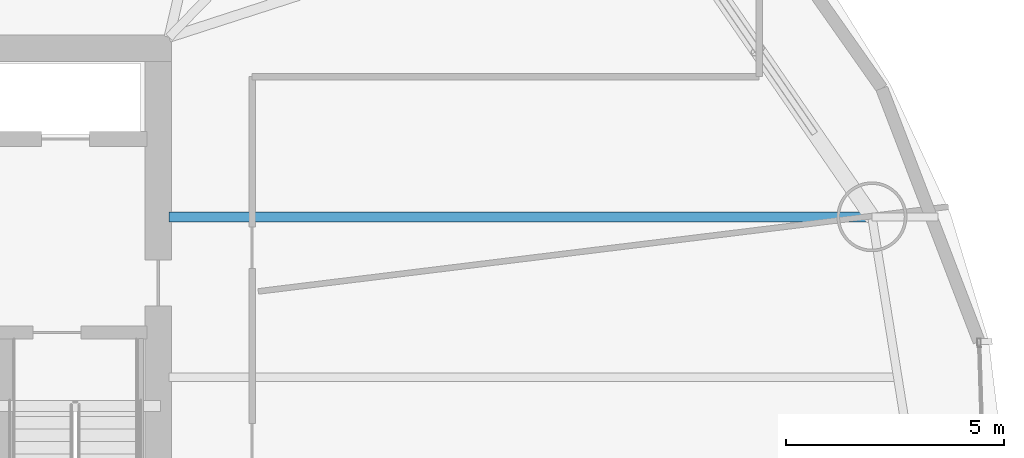
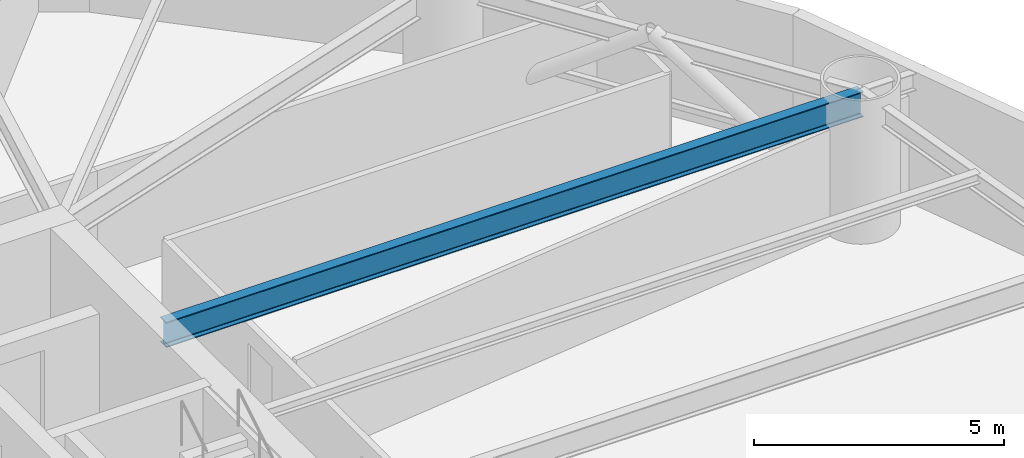
# One storey, part 13 of 27: 1 beam.
"""IFC4 building model written with IfcOpenShell, lengths in metres."""

from ifc_helpers import new_model, si_unit, direction, frame, origin, origin_2d, place, context, subcontext, project, spatial, i_section, extrude, material, material_profile, profile_set, type_object, element, save


model = new_model("IFC4")

# Units and contexts
model_context = context("Model", 3, precision=1e-05, world=origin(), true_north=direction((0.0, 1.0)))
body_context = subcontext(model_context, "Body", "Model", "MODEL_VIEW")
ifc_project = project(units=[si_unit("LENGTHUNIT", "METRE"), si_unit("AREAUNIT", "SQUARE_METRE"), si_unit("VOLUMEUNIT", "CUBIC_METRE"), si_unit("PLANEANGLEUNIT", "RADIAN"), si_unit("MASSUNIT", "GRAM", prefix="KILO")], contexts=[model_context])

# Site, building, storey
site_placement = place(None, origin())
site = spatial("IfcSite", under=ifc_project, at=site_placement, CompositionType="ELEMENT")
building_placement = place(site_placement, origin())
building = spatial("IfcBuilding", under=site, at=building_placement, Name="Bramvorn Convention Spire", CompositionType="ELEMENT")
storey_placement = place(building_placement, frame((0.0, 0.0, 72.89990234375)))
storey = spatial("IfcBuildingStorey", under=building, at=storey_placement, Name="L16", CompositionType="ELEMENT", Elevation=72.89990234375)

# Beam
ifc_material = material(Name="Steel CSA G40.21 Grade 350 (350W)", Category="steel")
ifc_material_profile = material_profile(ifc_material, i_section(OverallWidth=0.22998046875, OverallDepth=0.616943359375, WebThickness=0.01318359375, FlangeThickness=0.022216796875, FilletRadius=0.02001953125, at=origin_2d()))
ifc_profile_set = profile_set([ifc_material_profile], Name="Steel CSA G40.21 Grade 350 (350W) - W610X140")
beam_type = type_object("IfcBeamType", Name="BM-W610X140", PredefinedType="BEAM", material=ifc_profile_set)
beam_placement = place(storey_placement, frame((49.25, 29.340087890625, 2.926513671875), z_axis=(1.0, 0.0, 0.0), x_axis=(0.0, 1.0, 0.0)))
element("IfcBeam", 1, at=beam_placement, inside=storey, type_object=beam_type, Name="L16 Sky-Garden back-span radial girder MC02", PredefinedType="BEAM", context=body_context, shape_type="SweptSolid", body=[
    extrude(i_section(OverallWidth=0.22998046875, OverallDepth=0.616943359375, WebThickness=0.01318359375, FlangeThickness=0.022216796875, FilletRadius=0.02001953125, at=origin_2d()), origin(), (0.0, 0.0, 1.0), 16.088623046875),
])

save(model, "model.ifc")
